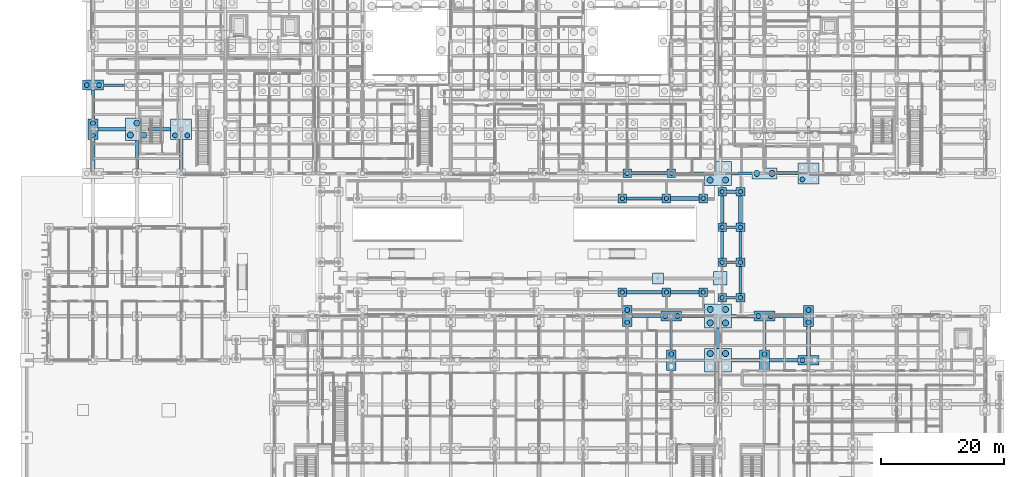
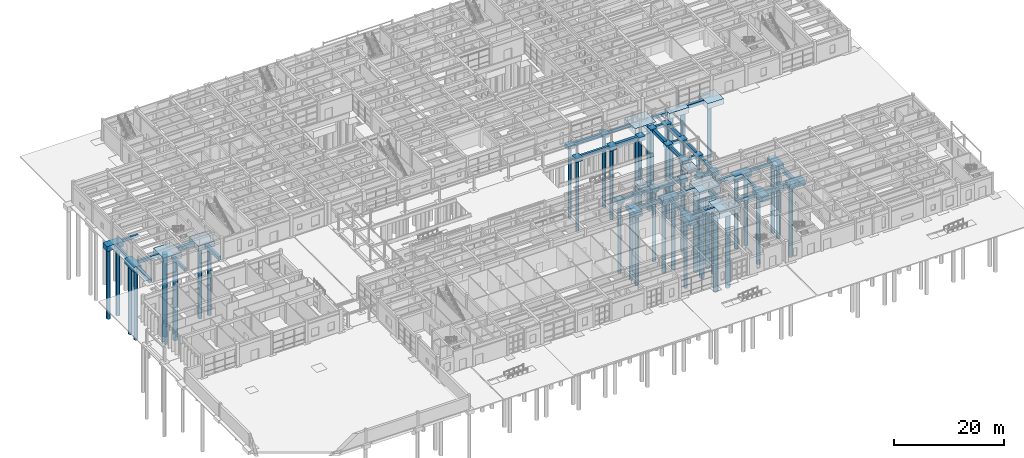
# One storey, part 5 of 143: 69 footings, 47 piles.
"""IFC4 building model written with IfcOpenShell, lengths in metres."""

from ifc_helpers import new_model, si_unit, direction, frame, origin, origin_2d, place, context, subcontext, project, spatial, rectangle, circle, extrude, material, material_profile, profile_set, type_object, element, save


model = new_model("IFC4")

# Units and contexts
model_context = context("Model", 3, precision=1e-05, world=origin(), true_north=direction((0.0, 1.0)))
body_context = subcontext(model_context, "Body", "Model", "MODEL_VIEW")
ifc_project = project(units=[si_unit("LENGTHUNIT", "METRE"), si_unit("AREAUNIT", "SQUARE_METRE"), si_unit("VOLUMEUNIT", "CUBIC_METRE"), si_unit("PLANEANGLEUNIT", "RADIAN"), si_unit("MASSUNIT", "GRAM", prefix="KILO")], contexts=[model_context])

# Site, building, storey
site_placement = place(None, origin())
site = spatial("IfcSite", under=ifc_project, at=site_placement, CompositionType="ELEMENT")
building_placement = place(site_placement, origin())
building = spatial("IfcBuilding", under=site, at=building_placement, Name="Steenspoor Specialist Clinic", CompositionType="ELEMENT")
storey_placement = place(building_placement, origin())
storey = spatial("IfcBuildingStorey", under=building, at=storey_placement, Name="L00", CompositionType="ELEMENT", Elevation=0.0)

# Footings
ifc_material = material(Name="Concrete C35/45", Category="concrete")
footing_type_1 = type_object("IfcFootingType", Name="FTG-PAD-180", PredefinedType="PAD_FOOTING", material=ifc_material)
footing_1_placement = place(storey_placement, frame((107.800048828125, 48.0, -0.64990234375), z_axis=(0.0, 0.0, 1.0), x_axis=(1.0, 0.0, 0.0)))
element("IfcFooting", 1, at=footing_1_placement, inside=storey, type_object=footing_type_1, Name="Pad Footing FTG-PAD-063", PredefinedType="PAD_FOOTING", context=body_context, shape_type="SweptSolid", body=[
    extrude(rectangle(XDim=1.800048828125, YDim=1.800048828125, at=origin_2d()), origin(), (0.0, 0.0, 1.0), 0.64990234375),
])
footing_type_2 = type_object("IfcFootingType", Name="FTG-PAD-220", PredefinedType="PAD_FOOTING", material=ifc_material)
footing_2_placement = place(storey_placement, frame((118.0, 48.0, -0.75), z_axis=(0.0, 0.0, 1.0), x_axis=(1.0, 0.0, 0.0)))
element("IfcFooting", 2, at=footing_2_placement, inside=storey, type_object=footing_type_2, Name="Pad Footing FTG-PAD-064", PredefinedType="PAD_FOOTING", context=body_context, shape_type="SweptSolid", body=[
    extrude(rectangle(XDim=2.199951171875, YDim=2.199951171875, at=origin_2d()), origin(), (0.0, 0.0, 1.0), 0.75),
])
footing_type_3 = type_object("IfcFootingType", Name="FTG-PC-1P-700", PredefinedType="PILE_CAP", material=ifc_material)
for number, where, z_axis, x_axis, name in (
    (3, (102.800048828125, 65.14990234375, -0.89990234375), (0.0, 0.0, 1.0), (1.0, 0.0, 0.0), "Pile Cap FTG-PC-148"),
    (4, (110.0, 65.14990234375, -0.89990234375), (0.0, 0.0, 1.0), (1.0, 0.0, 0.0), "Pile Cap FTG-PC-154"),
    (5, (118.300048828125, 44.85009765625, -0.89990234375), (0.0, 0.0, 1.0), (1.0, 0.0, 0.0), "Pad Footing FTG-PAD-017"),
    (6, (121.300048828125, 44.85009765625, -0.89990234375), (0.0, 0.0, 1.0), (1.0, 0.0, 0.0), "Pad Footing FTG-PAD-018"),
    (7, (118.300048828125, 50.64990234375, -0.89990234375), (0.0, 0.0, 1.0), (1.0, 0.0, 0.0), "Pad Footing FTG-PAD-019"),
    (8, (121.300048828125, 50.64990234375, -0.89990234375), (0.0, 0.0, 1.0), (1.0, 0.0, 0.0), "Pad Footing FTG-PAD-020"),
    (9, (118.300048828125, 56.35009765625, -0.89990234375), (0.0, 0.0, 1.0), (1.0, 0.0, 0.0), "Pad Footing FTG-PAD-021"),
    (10, (121.300048828125, 56.35009765625, -0.89990234375), (0.0, 0.0, 1.0), (1.0, 0.0, 0.0), "Pad Footing FTG-PAD-022"),
    (11, (118.300048828125, 62.14990234375, -0.89990234375), (0.0, 0.0, 1.0), (1.0, 0.0, 0.0), "Pad Footing FTG-PAD-023"),
    (12, (121.300048828125, 62.14990234375, -0.89990234375), (0.0, 0.0, 1.0), (1.0, 0.0, 0.0), "Pad Footing FTG-PAD-024"),
    (13, (102.0, 61.050048828125, -0.89990234375), (0.0, 0.0, 1.0), (1.0, 0.0, 0.0), "Pad Footing FTG-PAD-034"),
    (14, (109.199951171875, 61.050048828125, -0.89990234375), (0.0, 0.0, 1.0), (1.0, 0.0, 0.0), "Pad Footing FTG-PAD-035"),
    (15, (115.199951171875, 61.050048828125, -0.89990234375), (0.0, 0.0, 1.0), (1.0, 0.0, 0.0), "Pad Footing FTG-PAD-036"),
    (16, (102.0, 45.75, -0.89990234375), (0.0, 0.0, 1.0), (1.0, 0.0, 0.0), "Pad Footing FTG-PAD-043"),
    (17, (109.199951171875, 45.75, -0.89990234375), (0.0, 0.0, 1.0), (1.0, 0.0, 0.0), "Pad Footing FTG-PAD-044"),
    (18, (115.199951171875, 45.75, -0.89990234375), (0.0, 0.0, 1.0), (1.0, 0.0, 0.0), "Pad Footing FTG-PAD-045"),
):
    element("IfcFooting", number, at=place(storey_placement, frame(where, z_axis=z_axis, x_axis=x_axis)), inside=storey, type_object=footing_type_3, Name=name, PredefinedType="PILE_CAP", context=body_context, shape_type="SweptSolid", body=[
        extrude(rectangle(XDim=1.39990234375, YDim=1.39990234375, at=origin_2d()), origin(), (0.0, 0.0, 1.0), 0.89990234375),
    ])
footing_type_4 = type_object("IfcFootingType", Name="FTG-PC-2P-1000", PredefinedType="PILE_CAP", material=ifc_material)
footing_3_placement = place(storey_placement, frame((125.199951171875, 65.14990234375, -1.25), z_axis=(0.0, 0.0, 1.0), x_axis=(1.0, 0.0, 0.0)))
element("IfcFooting", 19, at=footing_3_placement, inside=storey, type_object=footing_type_4, Name="Pile Cap FTG-PC-199", PredefinedType="PILE_CAP", context=body_context, shape_type="SweptSolid", body=[
    extrude(rectangle(XDim=4.10009765625, YDim=1.800048828125, at=origin_2d()), origin(), (0.0, 0.0, 1.0), 1.25),
])
footing_type_5 = type_object("IfcFootingType", Name="FTG-PC-2P-800X", PredefinedType="PILE_CAP", material=ifc_material)
for number, where, z_axis, x_axis, name in (
    (20, (110.0, 41.85009765625, -1.10009765625), (0.0, 0.0, 1.0), (1.0, 0.0, 0.0), "Pile Cap FTG-PC-048"),
    (21, (125.199951171875, 41.85009765625, -1.10009765625), (0.0, 0.0, 1.0), (1.0, 0.0, 0.0), "Pile Cap FTG-PC-056"),
    (22, (132.39990234375, 34.64990234375, -1.10009765625), (0.0, 0.0, 1.0), (1.0, 0.0, 0.0), "Pile Cap FTG-PC-060"),
    (23, (15.60009765625, 79.550048828125, -1.10009765625), (0.0, 0.0, 1.0), (1.0, 0.0, 0.0), "Pile Cap FTG-PC-170"),
):
    element("IfcFooting", number, at=place(storey_placement, frame(where, z_axis=z_axis, x_axis=x_axis)), inside=storey, type_object=footing_type_5, Name=name, PredefinedType="PILE_CAP", context=body_context, shape_type="SweptSolid", body=[
        extrude(rectangle(XDim=3.39990234375, YDim=1.60009765625, at=origin_2d()), origin(), (0.0, 0.0, 1.0), 1.10009765625),
    ])
footing_type_6 = type_object("IfcFootingType", Name="FTG-PC-2P-800Y", PredefinedType="PILE_CAP", material=ifc_material)
for number, where, z_axis, x_axis, name in (
    (24, (102.800048828125, 41.85009765625, -1.14990234375), (0.0, 0.0, 1.0), (1.0, 0.0, 0.0), "Pile Cap FTG-PC-043"),
    (25, (110.0, 34.64990234375, -1.14990234375), (0.0, 0.0, 1.0), (1.0, 0.0, 0.0), "Pile Cap FTG-PC-047"),
    (26, (125.199951171875, 34.64990234375, -1.14990234375), (0.0, 0.0, 1.0), (1.0, 0.0, 0.0), "Pile Cap FTG-PC-055"),
    (27, (132.39990234375, 41.85009765625, -1.14990234375), (0.0, 0.0, 1.0), (1.0, 0.0, 0.0), "Pile Cap FTG-PC-061"),
    (28, (15.60009765625, 72.35009765625, -1.14990234375), (0.0, 0.0, 1.0), (1.0, 0.0, 0.0), "Pile Cap FTG-PC-169"),
):
    element("IfcFooting", number, at=place(storey_placement, frame(where, z_axis=z_axis, x_axis=x_axis)), inside=storey, type_object=footing_type_6, Name=name, PredefinedType="PILE_CAP", context=body_context, shape_type="SweptSolid", body=[
        extrude(rectangle(XDim=1.60009765625, YDim=3.39990234375, at=origin_2d()), origin(), (0.0, 0.0, 1.0), 1.14990234375),
    ])
footing_type_7 = type_object("IfcFootingType", Name="FTG-PC-3P-1000", PredefinedType="PILE_CAP", material=ifc_material)
footing_4_placement = place(storey_placement, frame((22.800048828125, 72.35009765625, -1.2998046875), z_axis=(0.0, 0.0, 1.0), x_axis=(1.0, 0.0, 0.0)))
element("IfcFooting", 29, at=footing_4_placement, inside=storey, type_object=footing_type_7, Name="Pile Cap FTG-PC-174", PredefinedType="PILE_CAP", context=body_context, shape_type="SweptSolid", body=[
    extrude(rectangle(XDim=3.800048828125, YDim=3.699951171875, at=origin_2d()), origin(), (0.0, 0.0, 1.0), 1.300048828125),
])
footing_type_8 = type_object("IfcFootingType", Name="FTG-PC-4P-800", PredefinedType="PILE_CAP", material=ifc_material)
for number, where, z_axis, x_axis, name in (
    (30, (30.0, 72.35009765625, -1.2001953125), (0.0, 0.0, 1.0), (1.0, 0.0, 0.0), "Pile Cap FTG-PC-179"),
    (31, (132.39990234375, 65.14990234375, -1.2001953125), (0.0, 0.0, 1.0), (1.0, 0.0, 0.0), "Pile Cap FTG-PC-206"),
):
    element("IfcFooting", number, at=place(storey_placement, frame(where, z_axis=z_axis, x_axis=x_axis)), inside=storey, type_object=footing_type_8, Name=name, PredefinedType="PILE_CAP", context=body_context, shape_type="SweptSolid", body=[
        extrude(rectangle(XDim=3.39990234375, YDim=3.39990234375, at=origin_2d()), origin(), (0.0, 0.0, 1.0), 1.199951171875),
    ])
footing_type_9 = type_object("IfcFootingType", Name="FTG-PC-SJ-4P", PredefinedType="PILE_CAP", material=ifc_material)
for number, where, z_axis, x_axis, name in (
    (32, (117.60009765625, 34.64990234375, -1.4501953125), (0.0, 0.0, 1.0), (1.0, 0.0, 0.0), "Pile Cap FTG-PC-050"),
    (33, (117.60009765625, 41.85009765625, -1.4501953125), (0.0, 0.0, 1.0), (1.0, 0.0, 0.0), "Pile Cap FTG-PC-051"),
    (34, (117.60009765625, 65.14990234375, -1.4501953125), (0.0, 0.0, 1.0), (1.0, 0.0, 0.0), "Pile Cap FTG-PC-161"),
):
    element("IfcFooting", number, at=place(storey_placement, frame(where, z_axis=z_axis, x_axis=x_axis)), inside=storey, type_object=footing_type_9, Name=name, PredefinedType="PILE_CAP", context=body_context, shape_type="SweptSolid", body=[
        extrude(rectangle(XDim=4.39990234375, YDim=3.89990234375, at=origin_2d()), origin(), (0.0, 0.0, 1.0), 1.449951171875),
    ])
footing_type_10 = type_object("IfcFootingType", Name="FTG-TB-450X650", PredefinedType="FOOTING_BEAM", material=ifc_material)
footing_5_placement = place(storey_placement, frame((113.10009765625, 34.64990234375, -0.64990234375), z_axis=(0.0, 0.0, 1.0), x_axis=(1.0, 0.0, 0.0)))
element("IfcFooting", 35, at=footing_5_placement, inside=storey, type_object=footing_type_10, Name="Seismic Tie Beam FTG-TB-062", PredefinedType="FOOTING_BEAM", context=body_context, shape_type="SweptSolid", body=[
    extrude(rectangle(XDim=4.60009765625, YDim=0.449951171875, at=origin_2d()), origin(), (0.0, 0.0, 1.0), 0.64990234375),
])
for number, where, z_axis, x_axis, name in (
    (36, (105.949951171875, 41.85009765625, -0.64990234375), (0.0, 0.0, 1.0), (1.0, 0.0, 0.0), "Seismic Tie Beam FTG-TB-083"),
    (37, (129.25, 41.85009765625, -0.64990234375), (0.0, 0.0, 1.0), (1.0, 0.0, 0.0), "Seismic Tie Beam FTG-TB-086"),
):
    element("IfcFooting", number, at=place(storey_placement, frame(where, z_axis=z_axis, x_axis=x_axis)), inside=storey, type_object=footing_type_10, Name=name, PredefinedType="FOOTING_BEAM", context=body_context, shape_type="SweptSolid", body=[
        extrude(rectangle(XDim=4.699951171875, YDim=0.449951171875, at=origin_2d()), origin(), (0.0, 0.0, 1.0), 0.64990234375),
    ])
for number, where, z_axis, x_axis, name in (
    (38, (119.800048828125, 44.85009765625, -0.64990234375), (0.0, 0.0, 1.0), (1.0, 0.0, 0.0), "Seismic Tie Beam FTG-TB-092"),
    (39, (119.800048828125, 50.64990234375, -0.64990234375), (0.0, 0.0, 1.0), (1.0, 0.0, 0.0), "Seismic Tie Beam FTG-TB-113"),
    (40, (119.800048828125, 56.35009765625, -0.64990234375), (0.0, 0.0, 1.0), (1.0, 0.0, 0.0), "Seismic Tie Beam FTG-TB-119"),
):
    element("IfcFooting", number, at=place(storey_placement, frame(where, z_axis=z_axis, x_axis=x_axis)), inside=storey, type_object=footing_type_10, Name=name, PredefinedType="FOOTING_BEAM", context=body_context, shape_type="SweptSolid", body=[
        extrude(rectangle(XDim=1.60009765625, YDim=0.449951171875, at=origin_2d()), origin(), (0.0, 0.0, 1.0), 0.64990234375),
    ])
footing_6_placement = place(storey_placement, frame((113.050048828125, 65.14990234375, -0.64990234375), z_axis=(0.0, 0.0, 1.0), x_axis=(1.0, 0.0, 0.0)))
element("IfcFooting", 41, at=footing_6_placement, inside=storey, type_object=footing_type_10, Name="Seismic Tie Beam FTG-TB-143", PredefinedType="FOOTING_BEAM", context=body_context, shape_type="SweptSolid", body=[
    extrude(rectangle(XDim=4.699951171875, YDim=0.449951171875, at=origin_2d()), origin(), (0.0, 0.0, 1.0), 0.64990234375),
])
footing_7_placement = place(storey_placement, frame((19.02490234375, 79.550048828125, -0.64990234375), z_axis=(0.0, 0.0, 1.0), x_axis=(1.0, 0.0, 0.0)))
element("IfcFooting", 42, at=footing_7_placement, inside=storey, type_object=footing_type_10, Name="Seismic Tie Beam FTG-TB-170", PredefinedType="FOOTING_BEAM", context=body_context, shape_type="SweptSolid", body=[
    extrude(rectangle(XDim=3.449951171875, YDim=0.449951171875, at=origin_2d()), origin(), (0.0, 0.0, 1.0), 0.64990234375),
])
footing_8_placement = place(storey_placement, frame((15.60009765625, 76.39990234375, -0.64990234375), z_axis=(0.0, 0.0, 1.0), x_axis=(1.0, 0.0, 0.0)))
element("IfcFooting", 43, at=footing_8_placement, inside=storey, type_object=footing_type_10, Name="Seismic Tie Beam FTG-TB-275", PredefinedType="FOOTING_BEAM", context=body_context, shape_type="SweptSolid", body=[
    extrude(rectangle(XDim=0.449951171875, YDim=4.699951171875, at=origin_2d()), origin(), (0.0, 0.0, 1.0), 0.64990234375),
])
footing_9_placement = place(storey_placement, frame((22.800048828125, 68.175048828125, -0.64990234375), z_axis=(0.0, 0.0, 1.0), x_axis=(1.0, 0.0, 0.0)))
element("IfcFooting", 44, at=footing_9_placement, inside=storey, type_object=footing_type_10, Name="Seismic Tie Beam FTG-TB-281", PredefinedType="FOOTING_BEAM", context=body_context, shape_type="SweptSolid", body=[
    extrude(rectangle(XDim=0.449951171875, YDim=4.64990234375, at=origin_2d()), origin(), (0.0, 0.0, 1.0), 0.64990234375),
])
footing_10_placement = place(storey_placement, frame((110.0, 38.699951171875, -0.64990234375), z_axis=(0.0, 0.0, 1.0), x_axis=(1.0, 0.0, 0.0)))
element("IfcFooting", 45, at=footing_10_placement, inside=storey, type_object=footing_type_10, Name="Seismic Tie Beam FTG-TB-398", PredefinedType="FOOTING_BEAM", context=body_context, shape_type="SweptSolid", body=[
    extrude(rectangle(XDim=0.449951171875, YDim=4.699951171875, at=origin_2d()), origin(), (0.0, 0.0, 1.0), 0.64990234375),
])
footing_11_placement = place(storey_placement, frame((121.300048828125, 47.75, -0.64990234375), z_axis=(0.0, 0.0, 1.0), x_axis=(1.0, 0.0, 0.0)))
element("IfcFooting", 46, at=footing_11_placement, inside=storey, type_object=footing_type_10, Name="Seismic Tie Beam FTG-TB-416", PredefinedType="FOOTING_BEAM", context=body_context, shape_type="SweptSolid", body=[
    extrude(rectangle(XDim=0.449951171875, YDim=4.39990234375, at=origin_2d()), origin(), (0.0, 0.0, 1.0), 0.64990234375),
])
footing_type_11 = type_object("IfcFootingType", Name="FTG-TB-500X700", PredefinedType="FOOTING_BEAM", material=ifc_material)
footing_12_placement = place(storey_placement, frame((122.10009765625, 34.64990234375, -0.7001953125), z_axis=(0.0, 0.0, 1.0), x_axis=(1.0, 0.0, 0.0)))
element("IfcFooting", 47, at=footing_12_placement, inside=storey, type_object=footing_type_11, Name="Seismic Tie Beam FTG-TB-063", PredefinedType="FOOTING_BEAM", context=body_context, shape_type="SweptSolid", body=[
    extrude(rectangle(XDim=4.60009765625, YDim=0.5, at=origin_2d()), origin(), (0.0, 0.0, 1.0), 0.699951171875),
])
footing_13_placement = place(storey_placement, frame((113.550048828125, 41.85009765625, -0.7001953125), z_axis=(0.0, 0.0, 1.0), x_axis=(1.0, 0.0, 0.0)))
element("IfcFooting", 48, at=footing_13_placement, inside=storey, type_object=footing_type_11, Name="Seismic Tie Beam FTG-TB-084", PredefinedType="FOOTING_BEAM", context=body_context, shape_type="SweptSolid", body=[
    extrude(rectangle(XDim=3.699951171875, YDim=0.5, at=origin_2d()), origin(), (0.0, 0.0, 1.0), 0.699951171875),
])
for number, where, z_axis, x_axis, name in (
    (49, (105.60009765625, 45.75, -0.7001953125), (0.0, 0.0, 1.0), (1.0, 0.0, 0.0), "Seismic Tie Beam FTG-TB-099"),
    (50, (105.60009765625, 61.050048828125, -0.7001953125), (0.0, 0.0, 1.0), (1.0, 0.0, 0.0), "Seismic Tie Beam FTG-TB-126"),
):
    element("IfcFooting", number, at=place(storey_placement, frame(where, z_axis=z_axis, x_axis=x_axis)), inside=storey, type_object=footing_type_11, Name=name, PredefinedType="FOOTING_BEAM", context=body_context, shape_type="SweptSolid", body=[
        extrude(rectangle(XDim=5.800048828125, YDim=0.5, at=origin_2d()), origin(), (0.0, 0.0, 1.0), 0.699951171875),
    ])
footing_14_placement = place(storey_placement, frame((119.800048828125, 62.14990234375, -0.7001953125), z_axis=(0.0, 0.0, 1.0), x_axis=(1.0, 0.0, 0.0)))
element("IfcFooting", 51, at=footing_14_placement, inside=storey, type_object=footing_type_11, Name="Seismic Tie Beam FTG-TB-129", PredefinedType="FOOTING_BEAM", context=body_context, shape_type="SweptSolid", body=[
    extrude(rectangle(XDim=1.60009765625, YDim=0.5, at=origin_2d()), origin(), (0.0, 0.0, 1.0), 0.699951171875),
])
footing_15_placement = place(storey_placement, frame((121.47509765625, 65.14990234375, -0.7001953125), z_axis=(0.0, 0.0, 1.0), x_axis=(1.0, 0.0, 0.0)))
element("IfcFooting", 52, at=footing_15_placement, inside=storey, type_object=footing_type_11, Name="Seismic Tie Beam FTG-TB-144", PredefinedType="FOOTING_BEAM", context=body_context, shape_type="SweptSolid", body=[
    extrude(rectangle(XDim=3.35009765625, YDim=0.5, at=origin_2d()), origin(), (0.0, 0.0, 1.0), 0.699951171875),
])
footing_16_placement = place(storey_placement, frame((18.64990234375, 72.35009765625, -0.7001953125), z_axis=(0.0, 0.0, 1.0), x_axis=(1.0, 0.0, 0.0)))
element("IfcFooting", 53, at=footing_16_placement, inside=storey, type_object=footing_type_11, Name="Seismic Tie Beam FTG-TB-150", PredefinedType="FOOTING_BEAM", context=body_context, shape_type="SweptSolid", body=[
    extrude(rectangle(XDim=4.5, YDim=0.5, at=origin_2d()), origin(), (0.0, 0.0, 1.0), 0.699951171875),
])
for number, where, z_axis, x_axis, name in (
    (54, (118.300048828125, 53.5, -0.7001953125), (0.0, 0.0, 1.0), (1.0, 0.0, 0.0), "Seismic Tie Beam FTG-TB-414"),
    (55, (121.300048828125, 53.5, -0.7001953125), (0.0, 0.0, 1.0), (1.0, 0.0, 0.0), "Seismic Tie Beam FTG-TB-417"),
):
    element("IfcFooting", number, at=place(storey_placement, frame(where, z_axis=z_axis, x_axis=x_axis)), inside=storey, type_object=footing_type_11, Name=name, PredefinedType="FOOTING_BEAM", context=body_context, shape_type="SweptSolid", body=[
        extrude(rectangle(XDim=0.5, YDim=4.300048828125, at=origin_2d()), origin(), (0.0, 0.0, 1.0), 0.699951171875),
    ])
footing_17_placement = place(storey_placement, frame((125.199951171875, 38.699951171875, -0.7001953125), z_axis=(0.0, 0.0, 1.0), x_axis=(1.0, 0.0, 0.0)))
element("IfcFooting", 56, at=footing_17_placement, inside=storey, type_object=footing_type_11, Name="Seismic Tie Beam FTG-TB-420", PredefinedType="FOOTING_BEAM", context=body_context, shape_type="SweptSolid", body=[
    extrude(rectangle(XDim=0.5, YDim=4.699951171875, at=origin_2d()), origin(), (0.0, 0.0, 1.0), 0.699951171875),
])
footing_type_12 = type_object("IfcFootingType", Name="FTG-TB-600X800", PredefinedType="FOOTING_BEAM", material=ifc_material)
footing_18_placement = place(storey_placement, frame((128.35009765625, 34.64990234375, -0.7998046875), z_axis=(0.0, 0.0, 1.0), x_axis=(1.0, 0.0, 0.0)))
element("IfcFooting", 57, at=footing_18_placement, inside=storey, type_object=footing_type_12, Name="Seismic Tie Beam FTG-TB-064", PredefinedType="FOOTING_BEAM", context=body_context, shape_type="SweptSolid", body=[
    extrude(rectangle(XDim=4.699951171875, YDim=0.60009765625, at=origin_2d()), origin(), (0.0, 0.0, 1.0), 0.800048828125),
])
footing_19_placement = place(storey_placement, frame((121.64990234375, 41.85009765625, -0.7998046875), z_axis=(0.0, 0.0, 1.0), x_axis=(1.0, 0.0, 0.0)))
element("IfcFooting", 58, at=footing_19_placement, inside=storey, type_object=footing_type_12, Name="Seismic Tie Beam FTG-TB-085", PredefinedType="FOOTING_BEAM", context=body_context, shape_type="SweptSolid", body=[
    extrude(rectangle(XDim=3.699951171875, YDim=0.60009765625, at=origin_2d()), origin(), (0.0, 0.0, 1.0), 0.800048828125),
])
for number, where, z_axis, x_axis, name in (
    (59, (112.199951171875, 45.75, -0.7998046875), (0.0, 0.0, 1.0), (1.0, 0.0, 0.0), "Seismic Tie Beam FTG-TB-100"),
    (60, (112.199951171875, 61.050048828125, -0.7998046875), (0.0, 0.0, 1.0), (1.0, 0.0, 0.0), "Seismic Tie Beam FTG-TB-127"),
):
    element("IfcFooting", number, at=place(storey_placement, frame(where, z_axis=z_axis, x_axis=x_axis)), inside=storey, type_object=footing_type_12, Name=name, PredefinedType="FOOTING_BEAM", context=body_context, shape_type="SweptSolid", body=[
        extrude(rectangle(XDim=4.60009765625, YDim=0.60009765625, at=origin_2d()), origin(), (0.0, 0.0, 1.0), 0.800048828125),
    ])
footing_20_placement = place(storey_placement, frame((106.39990234375, 65.14990234375, -0.7998046875), z_axis=(0.0, 0.0, 1.0), x_axis=(1.0, 0.0, 0.0)))
element("IfcFooting", 61, at=footing_20_placement, inside=storey, type_object=footing_type_12, Name="Seismic Tie Beam FTG-TB-142", PredefinedType="FOOTING_BEAM", context=body_context, shape_type="SweptSolid", body=[
    extrude(rectangle(XDim=5.800048828125, YDim=0.60009765625, at=origin_2d()), origin(), (0.0, 0.0, 1.0), 0.800048828125),
])
footing_21_placement = place(storey_placement, frame((128.97509765625, 65.14990234375, -0.7998046875), z_axis=(0.0, 0.0, 1.0), x_axis=(1.0, 0.0, 0.0)))
element("IfcFooting", 62, at=footing_21_placement, inside=storey, type_object=footing_type_12, Name="Seismic Tie Beam FTG-TB-145", PredefinedType="FOOTING_BEAM", context=body_context, shape_type="SweptSolid", body=[
    extrude(rectangle(XDim=3.449951171875, YDim=0.60009765625, at=origin_2d()), origin(), (0.0, 0.0, 1.0), 0.800048828125),
])
footing_22_placement = place(storey_placement, frame((26.5, 72.35009765625, -0.7998046875), z_axis=(0.0, 0.0, 1.0), x_axis=(1.0, 0.0, 0.0)))
element("IfcFooting", 63, at=footing_22_placement, inside=storey, type_object=footing_type_12, Name="Seismic Tie Beam FTG-TB-151", PredefinedType="FOOTING_BEAM", context=body_context, shape_type="SweptSolid", body=[
    extrude(rectangle(XDim=3.60009765625, YDim=0.60009765625, at=origin_2d()), origin(), (0.0, 0.0, 1.0), 0.800048828125),
])
footing_23_placement = place(storey_placement, frame((15.60009765625, 68.300048828125, -0.7998046875), z_axis=(0.0, 0.0, 1.0), x_axis=(1.0, 0.0, 0.0)))
element("IfcFooting", 64, at=footing_23_placement, inside=storey, type_object=footing_type_12, Name="Seismic Tie Beam FTG-TB-274", PredefinedType="FOOTING_BEAM", context=body_context, shape_type="SweptSolid", body=[
    extrude(rectangle(XDim=0.60009765625, YDim=4.699951171875, at=origin_2d()), origin(), (0.0, 0.0, 1.0), 0.800048828125),
])
footing_24_placement = place(storey_placement, frame((30.0, 68.25, -0.7998046875), z_axis=(0.0, 0.0, 1.0), x_axis=(1.0, 0.0, 0.0)))
element("IfcFooting", 65, at=footing_24_placement, inside=storey, type_object=footing_type_12, Name="Seismic Tie Beam FTG-TB-289", PredefinedType="FOOTING_BEAM", context=body_context, shape_type="SweptSolid", body=[
    extrude(rectangle(XDim=0.60009765625, YDim=4.800048828125, at=origin_2d()), origin(), (0.0, 0.0, 1.0), 0.800048828125),
])
footing_25_placement = place(storey_placement, frame((117.60009765625, 38.25, -0.7998046875), z_axis=(0.0, 0.0, 1.0), x_axis=(1.0, 0.0, 0.0)))
element("IfcFooting", 66, at=footing_25_placement, inside=storey, type_object=footing_type_12, Name="Seismic Tie Beam FTG-TB-406", PredefinedType="FOOTING_BEAM", context=body_context, shape_type="SweptSolid", body=[
    extrude(rectangle(XDim=0.60009765625, YDim=3.300048828125, at=origin_2d()), origin(), (0.0, 0.0, 1.0), 0.800048828125),
])
for number, where, z_axis, x_axis, name in (
    (67, (118.300048828125, 59.25, -0.7998046875), (0.0, 0.0, 1.0), (1.0, 0.0, 0.0), "Seismic Tie Beam FTG-TB-415"),
    (68, (121.300048828125, 59.25, -0.7998046875), (0.0, 0.0, 1.0), (1.0, 0.0, 0.0), "Seismic Tie Beam FTG-TB-418"),
):
    element("IfcFooting", number, at=place(storey_placement, frame(where, z_axis=z_axis, x_axis=x_axis)), inside=storey, type_object=footing_type_12, Name=name, PredefinedType="FOOTING_BEAM", context=body_context, shape_type="SweptSolid", body=[
        extrude(rectangle(XDim=0.60009765625, YDim=4.39990234375, at=origin_2d()), origin(), (0.0, 0.0, 1.0), 0.800048828125),
    ])
footing_26_placement = place(storey_placement, frame((132.39990234375, 37.800048828125, -0.7998046875), z_axis=(0.0, 0.0, 1.0), x_axis=(1.0, 0.0, 0.0)))
element("IfcFooting", 69, at=footing_26_placement, inside=storey, type_object=footing_type_12, Name="Seismic Tie Beam FTG-TB-430", PredefinedType="FOOTING_BEAM", context=body_context, shape_type="SweptSolid", body=[
    extrude(rectangle(XDim=0.60009765625, YDim=4.699951171875, at=origin_2d()), origin(), (0.0, 0.0, 1.0), 0.800048828125),
])

# Piles
ifc_material_profile_1 = material_profile(ifc_material, circle(Radius=0.5, at=origin_2d()), Name="PILE-D1000")
ifc_profile_set_1 = profile_set([ifc_material_profile_1], Name="Concrete C35/45")
pile_type_1 = type_object("IfcPileType", Name="PILE-RC-D1000", PredefinedType="BORED", material=ifc_profile_set_1)
for number, where, z_axis, x_axis, name in (
    (70, (116.35009765625, 35.75, -1.35009765625), (0.0, 0.0, -1.0), (1.0, 0.0, 0.0), "Bored Pile PILE-0098"),
    (71, (118.85009765625, 35.75, -1.35009765625), (0.0, 0.0, -1.0), (1.0, 0.0, 0.0), "Bored Pile PILE-0099"),
    (72, (116.35009765625, 40.75, -1.35009765625), (0.0, 0.0, -1.0), (1.0, 0.0, 0.0), "Bored Pile PILE-0100"),
    (73, (118.85009765625, 40.75, -1.35009765625), (0.0, 0.0, -1.0), (1.0, 0.0, 0.0), "Bored Pile PILE-0101"),
    (74, (116.35009765625, 42.949951171875, -1.35009765625), (0.0, 0.0, -1.0), (1.0, 0.0, 0.0), "Bored Pile PILE-0102"),
    (75, (118.85009765625, 42.949951171875, -1.35009765625), (0.0, 0.0, -1.0), (1.0, 0.0, 0.0), "Bored Pile PILE-0103"),
    (76, (116.35009765625, 64.050048828125, -1.35009765625), (0.0, 0.0, -1.0), (1.0, 0.0, 0.0), "Bored Pile PILE-0390"),
    (77, (118.85009765625, 64.050048828125, -1.35009765625), (0.0, 0.0, -1.0), (1.0, 0.0, 0.0), "Bored Pile PILE-0391"),
):
    element("IfcPile", number, at=place(storey_placement, frame(where, z_axis=z_axis, x_axis=x_axis)), inside=storey, type_object=pile_type_1, Name=name, PredefinedType="BORED", context=body_context, shape_type="SweptSolid", body=[
        extrude(circle(Radius=0.5, at=origin_2d()), origin(), (0.0, 0.0, 1.0), 18.14990234375),
    ])
for number, where, z_axis, x_axis, name in (
    (78, (21.699951171875, 71.39990234375, -1.199951171875), (0.0, 0.0, -1.0), (1.0, 0.0, 0.0), "Bored Pile PILE-0441"),
    (79, (23.89990234375, 71.39990234375, -1.199951171875), (0.0, 0.0, -1.0), (1.0, 0.0, 0.0), "Bored Pile PILE-0442"),
    (80, (22.800048828125, 73.35009765625, -1.199951171875), (0.0, 0.0, -1.0), (1.0, 0.0, 0.0), "Bored Pile PILE-0443"),
):
    element("IfcPile", number, at=place(storey_placement, frame(where, z_axis=z_axis, x_axis=x_axis)), inside=storey, type_object=pile_type_1, Name=name, PredefinedType="BORED", context=body_context, shape_type="SweptSolid", body=[
        extrude(circle(Radius=0.5, at=origin_2d()), origin(), (0.0, 0.0, 1.0), 18.300048828125),
    ])
for number, where, z_axis, x_axis, name in (
    (81, (123.949951171875, 65.14990234375, -1.14990234375), (0.0, 0.0, -1.0), (1.0, 0.0, 0.0), "Bored Pile PILE-0510"),
    (82, (126.449951171875, 65.14990234375, -1.14990234375), (0.0, 0.0, -1.0), (1.0, 0.0, 0.0), "Bored Pile PILE-0511"),
):
    element("IfcPile", number, at=place(storey_placement, frame(where, z_axis=z_axis, x_axis=x_axis)), inside=storey, type_object=pile_type_1, Name=name, PredefinedType="BORED", context=body_context, shape_type="SweptSolid", body=[
        extrude(circle(Radius=0.5, at=origin_2d()), origin(), (0.0, 0.0, 1.0), 18.35009765625),
    ])
ifc_material_profile_2 = material_profile(ifc_material, circle(Radius=0.35009765625, at=origin_2d()), Name="PILE-D700")
ifc_profile_set_2 = profile_set([ifc_material_profile_2], Name="Concrete C35/45")
pile_type_2 = type_object("IfcPileType", Name="PILE-RC-D700", PredefinedType="BORED", material=ifc_profile_set_2)
for number, where, z_axis, x_axis, name in (
    (83, (102.800048828125, 65.14990234375, -0.800048828125), (0.0, 0.0, -1.0), (1.0, 0.0, 0.0), "Bored Pile PILE-0348"),
    (84, (110.0, 65.14990234375, -0.800048828125), (0.0, 0.0, -1.0), (1.0, 0.0, 0.0), "Bored Pile PILE-0368"),
    (85, (118.300048828125, 44.85009765625, -0.800048828125), (0.0, 0.0, -1.0), (1.0, 0.0, 0.0), "Bored Pile PILE-0626"),
    (86, (121.300048828125, 44.85009765625, -0.800048828125), (0.0, 0.0, -1.0), (1.0, 0.0, 0.0), "Bored Pile PILE-0627"),
    (87, (118.300048828125, 50.64990234375, -0.800048828125), (0.0, 0.0, -1.0), (1.0, 0.0, 0.0), "Bored Pile PILE-0628"),
    (88, (121.300048828125, 50.64990234375, -0.800048828125), (0.0, 0.0, -1.0), (1.0, 0.0, 0.0), "Bored Pile PILE-0629"),
    (89, (118.300048828125, 56.35009765625, -0.800048828125), (0.0, 0.0, -1.0), (1.0, 0.0, 0.0), "Bored Pile PILE-0630"),
    (90, (121.300048828125, 56.35009765625, -0.800048828125), (0.0, 0.0, -1.0), (1.0, 0.0, 0.0), "Bored Pile PILE-0631"),
    (91, (118.300048828125, 62.14990234375, -0.800048828125), (0.0, 0.0, -1.0), (1.0, 0.0, 0.0), "Bored Pile PILE-0632"),
    (92, (121.300048828125, 62.14990234375, -0.800048828125), (0.0, 0.0, -1.0), (1.0, 0.0, 0.0), "Bored Pile PILE-0633"),
    (93, (102.0, 61.050048828125, -0.800048828125), (0.0, 0.0, -1.0), (1.0, 0.0, 0.0), "Bored Pile PILE-0643"),
    (94, (109.199951171875, 61.050048828125, -0.800048828125), (0.0, 0.0, -1.0), (1.0, 0.0, 0.0), "Bored Pile PILE-0644"),
    (95, (115.199951171875, 61.050048828125, -0.800048828125), (0.0, 0.0, -1.0), (1.0, 0.0, 0.0), "Bored Pile PILE-0645"),
    (96, (102.0, 45.75, -0.800048828125), (0.0, 0.0, -1.0), (1.0, 0.0, 0.0), "Bored Pile PILE-0652"),
    (97, (109.199951171875, 45.75, -0.800048828125), (0.0, 0.0, -1.0), (1.0, 0.0, 0.0), "Bored Pile PILE-0653"),
    (98, (115.199951171875, 45.75, -0.800048828125), (0.0, 0.0, -1.0), (1.0, 0.0, 0.0), "Bored Pile PILE-0654"),
):
    element("IfcPile", number, at=place(storey_placement, frame(where, z_axis=z_axis, x_axis=x_axis)), inside=storey, type_object=pile_type_2, Name=name, PredefinedType="BORED", context=body_context, shape_type="SweptSolid", body=[
        extrude(circle(Radius=0.35009765625, at=origin_2d()), origin(), (0.0, 0.0, 1.0), 15.699951171875),
    ])
ifc_material_profile_3 = material_profile(ifc_material, circle(Radius=0.39990234375, at=origin_2d()), Name="PILE-D800")
ifc_profile_set_3 = profile_set([ifc_material_profile_3], Name="Concrete C35/45")
pile_type_3 = type_object("IfcPileType", Name="PILE-RC-D800", PredefinedType="BORED", material=ifc_profile_set_3)
for number, where, z_axis, x_axis, name in (
    (99, (102.800048828125, 40.85009765625, -1.050048828125), (0.0, 0.0, -1.0), (1.0, 0.0, 0.0), "Bored Pile PILE-0080"),
    (100, (102.800048828125, 42.85009765625, -1.050048828125), (0.0, 0.0, -1.0), (1.0, 0.0, 0.0), "Bored Pile PILE-0081"),
    (101, (110.0, 35.64990234375, -1.050048828125), (0.0, 0.0, -1.0), (1.0, 0.0, 0.0), "Bored Pile PILE-0089"),
):
    element("IfcPile", number, at=place(storey_placement, frame(where, z_axis=z_axis, x_axis=x_axis)), inside=storey, type_object=pile_type_3, Name=name, PredefinedType="BORED", context=body_context, shape_type="SweptSolid", body=[
        extrude(circle(Radius=0.39990234375, at=origin_2d()), origin(), (0.0, 0.0, 1.0), 15.449951171875),
    ])
for number, where, z_axis, x_axis, name in (
    (102, (109.0, 41.85009765625, -1.0), (0.0, 0.0, -1.0), (1.0, 0.0, 0.0), "Bored Pile PILE-0090"),
    (103, (111.0, 41.85009765625, -1.0), (0.0, 0.0, -1.0), (1.0, 0.0, 0.0), "Bored Pile PILE-0091"),
):
    element("IfcPile", number, at=place(storey_placement, frame(where, z_axis=z_axis, x_axis=x_axis)), inside=storey, type_object=pile_type_3, Name=name, PredefinedType="BORED", context=body_context, shape_type="SweptSolid", body=[
        extrude(circle(Radius=0.39990234375, at=origin_2d()), origin(), (0.0, 0.0, 1.0), 15.5),
    ])
pile_placement = place(storey_placement, frame((125.199951171875, 35.64990234375, -1.050048828125), z_axis=(0.0, 0.0, -1.0), x_axis=(1.0, 0.0, 0.0)))
element("IfcPile", 104, at=pile_placement, inside=storey, type_object=pile_type_3, Name="Bored Pile PILE-0111", PredefinedType="BORED", context=body_context, shape_type="SweptSolid", body=[
    extrude(circle(Radius=0.39990234375, at=origin_2d()), origin(), (0.0, 0.0, 1.0), 15.449951171875),
])
for number, where, z_axis, x_axis, name in (
    (105, (124.199951171875, 41.85009765625, -1.0), (0.0, 0.0, -1.0), (1.0, 0.0, 0.0), "Bored Pile PILE-0112"),
    (106, (126.199951171875, 41.85009765625, -1.0), (0.0, 0.0, -1.0), (1.0, 0.0, 0.0), "Bored Pile PILE-0113"),
    (107, (131.39990234375, 34.64990234375, -1.0), (0.0, 0.0, -1.0), (1.0, 0.0, 0.0), "Bored Pile PILE-0120"),
):
    element("IfcPile", number, at=place(storey_placement, frame(where, z_axis=z_axis, x_axis=x_axis)), inside=storey, type_object=pile_type_3, Name=name, PredefinedType="BORED", context=body_context, shape_type="SweptSolid", body=[
        extrude(circle(Radius=0.39990234375, at=origin_2d()), origin(), (0.0, 0.0, 1.0), 15.5),
    ])
for number, where, z_axis, x_axis, name in (
    (108, (132.39990234375, 40.85009765625, -1.050048828125), (0.0, 0.0, -1.0), (1.0, 0.0, 0.0), "Bored Pile PILE-0122"),
    (109, (132.39990234375, 42.85009765625, -1.050048828125), (0.0, 0.0, -1.0), (1.0, 0.0, 0.0), "Bored Pile PILE-0123"),
    (110, (15.60009765625, 71.35009765625, -1.050048828125), (0.0, 0.0, -1.0), (1.0, 0.0, 0.0), "Bored Pile PILE-0432"),
    (111, (15.60009765625, 73.35009765625, -1.050048828125), (0.0, 0.0, -1.0), (1.0, 0.0, 0.0), "Bored Pile PILE-0433"),
):
    element("IfcPile", number, at=place(storey_placement, frame(where, z_axis=z_axis, x_axis=x_axis)), inside=storey, type_object=pile_type_3, Name=name, PredefinedType="BORED", context=body_context, shape_type="SweptSolid", body=[
        extrude(circle(Radius=0.39990234375, at=origin_2d()), origin(), (0.0, 0.0, 1.0), 15.449951171875),
    ])
for number, where, z_axis, x_axis, name in (
    (112, (14.60009765625, 79.550048828125, -1.0), (0.0, 0.0, -1.0), (1.0, 0.0, 0.0), "Bored Pile PILE-0434"),
    (113, (16.60009765625, 79.550048828125, -1.0), (0.0, 0.0, -1.0), (1.0, 0.0, 0.0), "Bored Pile PILE-0435"),
):
    element("IfcPile", number, at=place(storey_placement, frame(where, z_axis=z_axis, x_axis=x_axis)), inside=storey, type_object=pile_type_3, Name=name, PredefinedType="BORED", context=body_context, shape_type="SweptSolid", body=[
        extrude(circle(Radius=0.39990234375, at=origin_2d()), origin(), (0.0, 0.0, 1.0), 15.5),
    ])
for number, where, z_axis, x_axis, name in (
    (114, (29.0, 71.35009765625, -1.10009765625), (0.0, 0.0, -1.0), (1.0, 0.0, 0.0), "Bored Pile PILE-0454"),
    (115, (31.0, 71.35009765625, -1.10009765625), (0.0, 0.0, -1.0), (1.0, 0.0, 0.0), "Bored Pile PILE-0455"),
    (116, (131.39990234375, 64.14990234375, -1.10009765625), (0.0, 0.0, -1.0), (1.0, 0.0, 0.0), "Bored Pile PILE-0530"),
):
    element("IfcPile", number, at=place(storey_placement, frame(where, z_axis=z_axis, x_axis=x_axis)), inside=storey, type_object=pile_type_3, Name=name, PredefinedType="BORED", context=body_context, shape_type="SweptSolid", body=[
        extrude(circle(Radius=0.39990234375, at=origin_2d()), origin(), (0.0, 0.0, 1.0), 15.39990234375),
    ])

save(model, "model.ifc")
